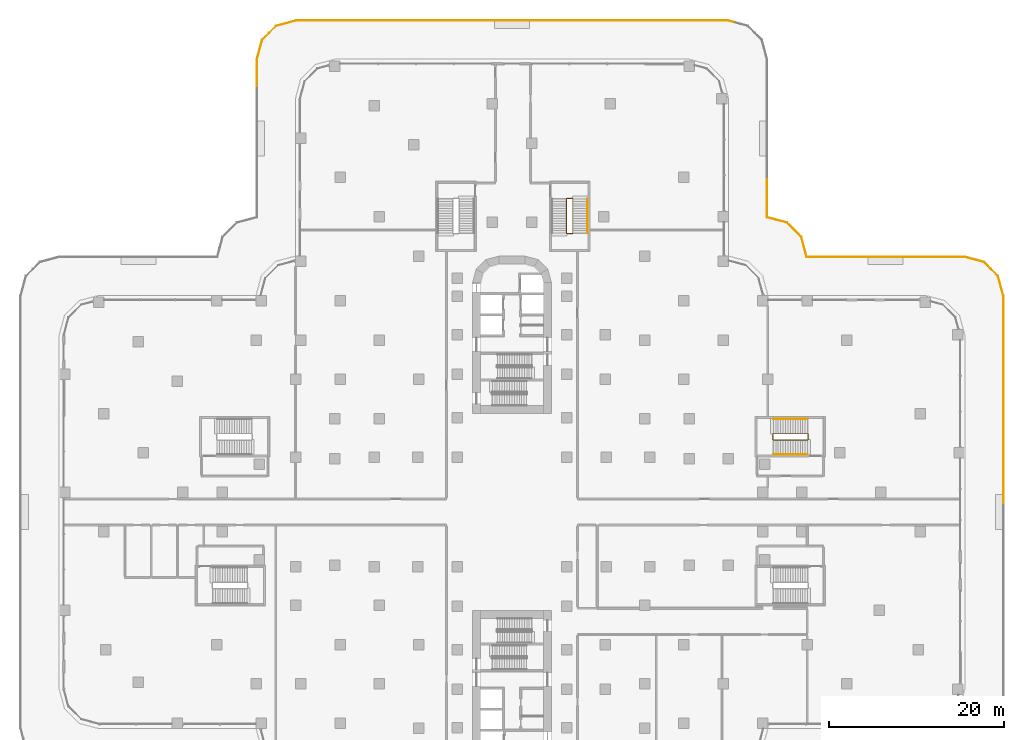
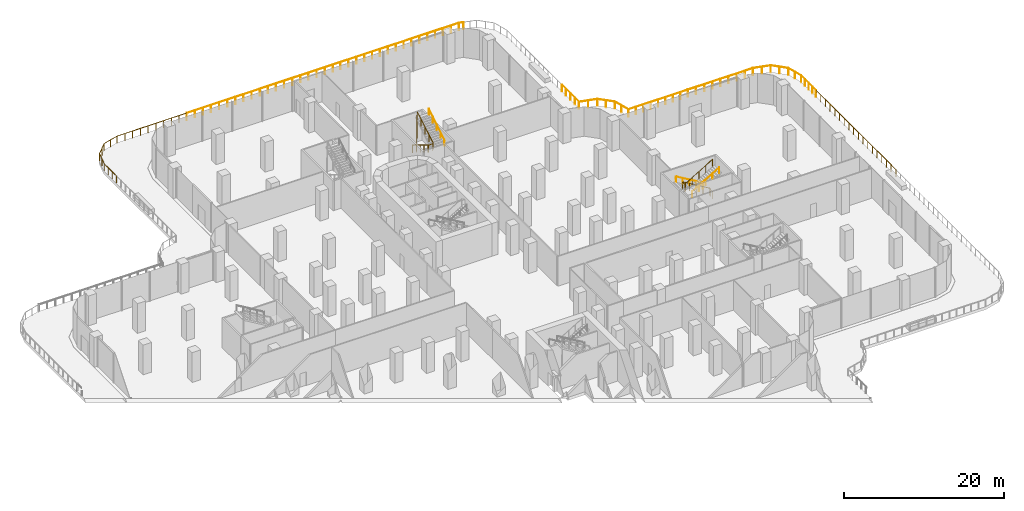
# One storey, part 28 of 30: 11 railings.
"""IFC4 building model written with IfcOpenShell, lengths in metres."""

from ifc_helpers import new_model, si_unit, direction, frame, origin, origin_2d, place, context, subcontext, project, spatial, circle, extrude, material, type_object, element, save


model = new_model("IFC4")

# Units and contexts
model_context = context("Model", 3, precision=1e-05, world=origin(), true_north=direction((0.0, 1.0)))
body_context = subcontext(model_context, "Body", "Model", "MODEL_VIEW")
ifc_project = project(units=[si_unit("LENGTHUNIT", "METRE"), si_unit("AREAUNIT", "SQUARE_METRE"), si_unit("VOLUMEUNIT", "CUBIC_METRE"), si_unit("PLANEANGLEUNIT", "RADIAN"), si_unit("MASSUNIT", "GRAM", prefix="KILO")], contexts=[model_context])

# Site, building, storey
site_placement = place(None, origin())
site = spatial("IfcSite", under=ifc_project, at=site_placement, CompositionType="ELEMENT")
building_placement = place(site_placement, origin())
building = spatial("IfcBuilding", under=site, at=building_placement, Name="Zarbagh Exchange Tower", CompositionType="ELEMENT")
storey_placement = place(building_placement, frame((0.0, 0.0, 7.0)))
storey = spatial("IfcBuildingStorey", under=building, at=storey_placement, Name="L01", CompositionType="ELEMENT", Elevation=7.0)

# Railings
ifc_material_1 = material(Name="Stainless steel", Category="steel")
railing_type_1 = type_object("IfcRailingType", Name="Stair guard 1100 mm", PredefinedType="GUARDRAIL", material=ifc_material_1)
railing_1_placement = place(storey_placement, frame((6.25, 35.800048828125, 0.166748046875)))
element("IfcRailing", 1, at=railing_1_placement, inside=storey, type_object=railing_type_1, Name="PS2 stair guard 1", PredefinedType="GUARDRAIL", context=body_context, shape_type="SweptSolid", body=[
    extrude(circle(Radius=0.02392578125, at=origin_2d()), frame((0.0, 0.0, 1.076171875), z_axis=(0.0, -0.859310244771, 0.511454693235), x_axis=(1.0, 0.0, 0.0)), (0.0, 0.0, 1.0), 4.56201171875),
    extrude(circle(Radius=0.02392578125, at=origin_2d()), frame((0.0, -3.920166015625, 3.4091796875), z_axis=(0.708833529934, -0.705375805398, 0.0), x_axis=(0.705375805398, 0.708833529934, 0.0)), (0.0, 0.0, 1.0), 0.070556640625),
    extrude(circle(Radius=0.02392578125, at=origin_2d()), frame((0.050048828125, -3.969970703125, 3.4091796875), z_axis=(1.0, 0.0, 0.0), x_axis=(0.0, 1.0, 0.0)), (0.0, 0.0, 1.0), 0.599853515625),
    extrude(circle(Radius=0.02392578125, at=origin_2d()), frame((0.64990234375, -3.969970703125, 3.4091796875), z_axis=(0.276389281352, 0.275041040955, 0.920848191041), x_axis=(-0.705375805398, 0.708833529934, 0.0)), (0.0, 0.0, 1.0), 0.18115234375),
    extrude(circle(Radius=0.02392578125, at=origin_2d()), frame((0.699951171875, -3.920166015625, 3.576171875), z_axis=(0.0, 0.859310244771, 0.511454693235), x_axis=(-1.0, 0.0, 0.0)), (0.0, 0.0, 1.0), 4.56201171875),
    extrude(circle(Radius=0.02392578125, at=origin_2d()), frame((0.699951171875, 0.0, 5.9091796875), z_axis=(-0.010008762843, 0.010008762843, -0.999899819648), x_axis=(-0.707106781187, -0.707106781187, 0.0)), (0.0, 0.0, 1.0), 5.00048828125),
    extrude(circle(Radius=0.02392578125, at=origin_2d()), frame((0.64990234375, 0.050048828125, 0.9091796875), z_axis=(-1.0, 0.0, 0.0), x_axis=(0.0, -1.0, 0.0)), (0.0, 0.0, 1.0), 0.599853515625),
    extrude(circle(Radius=0.02099609375, at=origin_2d()), origin(), (0.0, 0.0, 1.0), 1.052001953125),
    extrude(circle(Radius=0.02099609375, at=origin_2d()), frame((0.0, -0.97998046875, 0.583251953125)), (0.0, 0.0, 1.0), 1.052001953125),
    extrude(circle(Radius=0.02099609375, at=origin_2d()), frame((0.0, -1.9599609375, 1.16650390625)), (0.0, 0.0, 1.0), 1.052001953125),
    extrude(circle(Radius=0.02099609375, at=origin_2d()), frame((0.0, -2.940185546875, 1.75)), (0.0, 0.0, 1.0), 1.052001953125),
    extrude(circle(Radius=0.02099609375, at=origin_2d()), frame((0.0, -3.920166015625, 2.333251953125)), (0.0, 0.0, 1.0), 1.052001953125),
    extrude(circle(Radius=0.02099609375, at=origin_2d()), frame((0.050048828125, -3.969970703125, 2.333251953125)), (0.0, 0.0, 1.0), 1.052001953125),
    extrude(circle(Radius=0.02099609375, at=origin_2d()), frame((0.64990234375, -3.969970703125, 2.333251953125)), (0.0, 0.0, 1.0), 1.052001953125),
    extrude(circle(Radius=0.02099609375, at=origin_2d()), frame((0.699951171875, -3.920166015625, 2.5)), (0.0, 0.0, 1.0), 1.052001953125),
    extrude(circle(Radius=0.02099609375, at=origin_2d()), frame((0.699951171875, -2.940185546875, 3.083251953125)), (0.0, 0.0, 1.0), 1.052001953125),
    extrude(circle(Radius=0.02099609375, at=origin_2d()), frame((0.699951171875, -1.9599609375, 3.66650390625)), (0.0, 0.0, 1.0), 1.052001953125),
    extrude(circle(Radius=0.02099609375, at=origin_2d()), frame((0.699951171875, -0.97998046875, 4.25)), (0.0, 0.0, 1.0), 1.052001953125),
    extrude(circle(Radius=0.02099609375, at=origin_2d()), frame((0.699951171875, 0.0, 4.833251953125)), (0.0, 0.0, 1.0), 1.052001953125),
    extrude(circle(Radius=0.02099609375, at=origin_2d()), frame((0.68994140625, 0.010009765625, 3.833251953125)), (0.0, 0.0, 1.0), 1.052001953125),
    extrude(circle(Radius=0.02099609375, at=origin_2d()), frame((0.679931640625, 0.02001953125, 2.833251953125)), (0.0, 0.0, 1.0), 1.052001953125),
    extrude(circle(Radius=0.02099609375, at=origin_2d()), frame((0.669921875, 0.030029296875, 1.833251953125)), (0.0, 0.0, 1.0), 1.052001953125),
    extrude(circle(Radius=0.02099609375, at=origin_2d()), frame((0.659912109375, 0.0400390625, 0.833251953125)), (0.0, 0.0, 1.0), 1.052001953125),
    extrude(circle(Radius=0.02099609375, at=origin_2d()), frame((0.64990234375, 0.050048828125, -0.166748046875)), (0.0, 0.0, 1.0), 1.052001953125),
    extrude(circle(Radius=0.02099609375, at=origin_2d()), frame((0.050048828125, 0.050048828125, -0.166748046875)), (0.0, 0.0, 1.0), 1.052001953125),
])
railing_2_placement = place(storey_placement, frame((33.85009765625, 8.300048828125, 0.0)))
element("IfcRailing", 2, at=railing_2_placement, inside=storey, type_object=railing_type_1, Name="PS3 stair guard 1", PredefinedType="GUARDRAIL", context=body_context, shape_type="SweptSolid", body=[
    extrude(circle(Radius=0.02392578125, at=origin_2d()), frame((0.0, 0.0, 1.076171875), z_axis=(0.0, 1.0, 0.0), x_axis=(-1.0, 0.0, 0.0)), (0.0, 0.0, 1.0), 0.599853515625),
    extrude(circle(Radius=0.02392578125, at=origin_2d()), frame((0.0, 0.599853515625, 1.076171875), z_axis=(-0.27628659633, 0.27628659633, 0.920506074601), x_axis=(-0.707106781187, -0.707106781187, 0.0)), (0.0, 0.0, 1.0), 0.18115234375),
    extrude(circle(Radius=0.02392578125, at=origin_2d()), frame((-0.050048828125, 0.64990234375, 1.24267578125), z_axis=(-0.859310244771, 0.0, 0.511454693235), x_axis=(0.0, -1.0, 0.0)), (0.0, 0.0, 1.0), 4.56201171875),
    extrude(circle(Radius=0.02392578125, at=origin_2d()), frame((-3.97021484375, 0.64990234375, 3.576171875), z_axis=(-0.705375805398, -0.708833529934, 0.0), x_axis=(0.708833529934, -0.705375805398, 0.0)), (0.0, 0.0, 1.0), 0.070556640625),
    extrude(circle(Radius=0.02392578125, at=origin_2d()), frame((-4.02001953125, 0.599853515625, 3.576171875), z_axis=(0.0, -1.0, 0.0), x_axis=(1.0, 0.0, 0.0)), (0.0, 0.0, 1.0), 0.599853515625),
    extrude(circle(Radius=0.02392578125, at=origin_2d()), frame((-4.02001953125, 0.0, 3.576171875), z_axis=(0.275041040955, -0.276389281352, 0.920848191041), x_axis=(0.708833529934, 0.705375805398, 0.0)), (0.0, 0.0, 1.0), 0.18115234375),
    extrude(circle(Radius=0.02392578125, at=origin_2d()), frame((-3.97021484375, -0.050048828125, 3.74267578125), z_axis=(0.859310244771, 0.0, 0.511454693235), x_axis=(0.0, 1.0, 0.0)), (0.0, 0.0, 1.0), 4.56201171875),
    extrude(circle(Radius=0.02099609375, at=origin_2d()), origin(), (0.0, 0.0, 1.0), 1.052001953125),
    extrude(circle(Radius=0.02099609375, at=origin_2d()), frame((0.0, 0.599853515625, 0.0)), (0.0, 0.0, 1.0), 1.052001953125),
    extrude(circle(Radius=0.02099609375, at=origin_2d()), frame((-0.050048828125, 0.64990234375, 0.166748046875)), (0.0, 0.0, 1.0), 1.052001953125),
    extrude(circle(Radius=0.02099609375, at=origin_2d()), frame((-1.030029296875, 0.64990234375, 0.75)), (0.0, 0.0, 1.0), 1.052001953125),
    extrude(circle(Radius=0.02099609375, at=origin_2d()), frame((-2.01025390625, 0.64990234375, 1.33349609375)), (0.0, 0.0, 1.0), 1.052001953125),
    extrude(circle(Radius=0.02099609375, at=origin_2d()), frame((-2.990234375, 0.64990234375, 1.916748046875)), (0.0, 0.0, 1.0), 1.052001953125),
    extrude(circle(Radius=0.02099609375, at=origin_2d()), frame((-3.97021484375, 0.64990234375, 2.5)), (0.0, 0.0, 1.0), 1.052001953125),
    extrude(circle(Radius=0.02099609375, at=origin_2d()), frame((-4.02001953125, 0.599853515625, 2.5)), (0.0, 0.0, 1.0), 1.052001953125),
    extrude(circle(Radius=0.02099609375, at=origin_2d()), frame((-4.02001953125, 0.0, 2.5)), (0.0, 0.0, 1.0), 1.052001953125),
    extrude(circle(Radius=0.02099609375, at=origin_2d()), frame((-3.97021484375, -0.050048828125, 2.666748046875)), (0.0, 0.0, 1.0), 1.052001953125),
    extrude(circle(Radius=0.02099609375, at=origin_2d()), frame((-2.990234375, -0.050048828125, 3.25)), (0.0, 0.0, 1.0), 1.052001953125),
    extrude(circle(Radius=0.02099609375, at=origin_2d()), frame((-2.01025390625, -0.050048828125, 3.83349609375)), (0.0, 0.0, 1.0), 1.052001953125),
    extrude(circle(Radius=0.02099609375, at=origin_2d()), frame((-1.030029296875, -0.050048828125, 4.416748046875)), (0.0, 0.0, 1.0), 1.052001953125),
    extrude(circle(Radius=0.02099609375, at=origin_2d()), frame((-0.050048828125, -0.050048828125, 5.0)), (0.0, 0.0, 1.0), 1.052001953125),
])
railing_type_2 = type_object("IfcRailingType", Name="Stair handrail 900 mm", PredefinedType="HANDRAIL", material=ifc_material_1)
railing_3_placement = place(storey_placement, frame((8.64990234375, 31.8798828125, 2.666748046875)))
element("IfcRailing", 3, at=railing_3_placement, inside=storey, type_object=railing_type_2, Name="PS2 stair handrail 2", PredefinedType="HANDRAIL", context=body_context, shape_type="SweptSolid", body=[
    extrude(circle(Radius=0.02392578125, at=origin_2d()), frame((0.0, 0.0, 0.8759765625), z_axis=(0.0, 0.859310244771, 0.511454693235), x_axis=(-1.0, 0.0, 0.0)), (0.0, 0.0, 1.0), 4.56201171875),
    extrude(circle(Radius=0.02099609375, at=origin_2d()), origin(), (0.0, 0.0, 1.0), 0.851806640625),
    extrude(circle(Radius=0.02099609375, at=origin_2d()), frame((0.0, 0.97998046875, 0.583251953125)), (0.0, 0.0, 1.0), 0.851806640625),
    extrude(circle(Radius=0.02099609375, at=origin_2d()), frame((0.0, 1.9599609375, 1.16650390625)), (0.0, 0.0, 1.0), 0.851806640625),
    extrude(circle(Radius=0.02099609375, at=origin_2d()), frame((0.0, 2.940185546875, 1.75)), (0.0, 0.0, 1.0), 0.851806640625),
    extrude(circle(Radius=0.02099609375, at=origin_2d()), frame((0.0, 3.920166015625, 2.333251953125)), (0.0, 0.0, 1.0), 0.851806640625),
])
railing_4_placement = place(storey_placement, frame((33.800048828125, 10.64990234375, 0.166748046875)))
element("IfcRailing", 4, at=railing_4_placement, inside=storey, type_object=railing_type_2, Name="PS3 stair handrail 1", PredefinedType="HANDRAIL", context=body_context, shape_type="SweptSolid", body=[
    extrude(circle(Radius=0.02392578125, at=origin_2d()), frame((0.0, 0.0, 0.8759765625), z_axis=(-0.859310244771, 0.0, 0.511454693235), x_axis=(0.0, -1.0, 0.0)), (0.0, 0.0, 1.0), 4.56201171875),
    extrude(circle(Radius=0.02099609375, at=origin_2d()), origin(), (0.0, 0.0, 1.0), 0.851806640625),
    extrude(circle(Radius=0.02099609375, at=origin_2d()), frame((-0.97998046875, 0.0, 0.583251953125)), (0.0, 0.0, 1.0), 0.851806640625),
    extrude(circle(Radius=0.02099609375, at=origin_2d()), frame((-1.9599609375, 0.0, 1.16650390625)), (0.0, 0.0, 1.0), 0.851806640625),
    extrude(circle(Radius=0.02099609375, at=origin_2d()), frame((-2.940185546875, 0.0, 1.75)), (0.0, 0.0, 1.0), 0.851806640625),
    extrude(circle(Radius=0.02099609375, at=origin_2d()), frame((-3.920166015625, 0.0, 2.333251953125)), (0.0, 0.0, 1.0), 0.851806640625),
])
railing_5_placement = place(storey_placement, frame((29.8798828125, 6.550048828125, 2.666748046875)))
element("IfcRailing", 5, at=railing_5_placement, inside=storey, type_object=railing_type_2, Name="PS3 stair handrail 2", PredefinedType="HANDRAIL", context=body_context, shape_type="SweptSolid", body=[
    extrude(circle(Radius=0.02392578125, at=origin_2d()), frame((0.0, 0.0, 0.8759765625), z_axis=(0.859310244771, 0.0, 0.511454693235), x_axis=(0.0, 1.0, 0.0)), (0.0, 0.0, 1.0), 4.56201171875),
    extrude(circle(Radius=0.02099609375, at=origin_2d()), origin(), (0.0, 0.0, 1.0), 0.851806640625),
    extrude(circle(Radius=0.02099609375, at=origin_2d()), frame((0.97998046875, 0.0, 0.583251953125)), (0.0, 0.0, 1.0), 0.851806640625),
    extrude(circle(Radius=0.02099609375, at=origin_2d()), frame((1.9599609375, 0.0, 1.16650390625)), (0.0, 0.0, 1.0), 0.851806640625),
    extrude(circle(Radius=0.02099609375, at=origin_2d()), frame((2.940185546875, 0.0, 1.75)), (0.0, 0.0, 1.0), 0.851806640625),
    extrude(circle(Radius=0.02099609375, at=origin_2d()), frame((3.920166015625, 0.0, 2.333251953125)), (0.0, 0.0, 1.0), 0.851806640625),
])
ifc_material_2 = material(Name="Stainless steel and laminated glass", Category="steel")
railing_type_3 = type_object("IfcRailingType", Name="Terrace guard, glass balustrade 1.1 m", PredefinedType="GUARDRAIL", material=ifc_material_2)
railing_6_placement = place(storey_placement, frame((-29.169921875, 48.703369140625, 0.0)))
element("IfcRailing", 6, at=railing_6_placement, inside=storey, type_object=railing_type_3, Name="TG01 terrace guard", PredefinedType="GUARDRAIL", context=body_context, shape_type="SweptSolid", body=[
    extrude(circle(Radius=0.02490234375, at=origin_2d()), frame((0.0, 0.0, 1.0751953125), z_axis=(0.0, 1.0, 0.0), x_axis=(-1.0, 0.0, 0.0)), (0.0, 0.0, 1.0), 3.0361328125),
    extrude(circle(Radius=0.02490234375, at=origin_2d()), frame((0.0, 3.0361328125, 1.0751953125), z_axis=(0.258780353152, 0.965936192935, 0.0), x_axis=(-0.965936192935, 0.258780353152, 0.0)), (0.0, 0.0, 1.0), 2.29736328125),
    extrude(circle(Radius=0.02490234375, at=origin_2d()), frame((0.594482421875, 5.255126953125, 1.0751953125), z_axis=(0.707106781187, 0.707106781187, 0.0), x_axis=(-0.707106781187, 0.707106781187, 0.0)), (0.0, 0.0, 1.0), 2.28662109375),
    extrude(circle(Radius=0.02490234375, at=origin_2d()), frame((2.21142578125, 6.8720703125, 1.0751953125), z_axis=(0.965936192935, 0.258780353152, 0.0), x_axis=(-0.258780353152, 0.965936192935, 0.0)), (0.0, 0.0, 1.0), 2.29736328125),
    extrude(circle(Radius=0.02490234375, at=origin_2d()), frame((4.430419921875, 7.466552734375, 1.0751953125), z_axis=(1.0, 0.0, 0.0), x_axis=(0.0, 1.0, 0.0)), (0.0, 0.0, 1.0), 10.082763671875),
    extrude(circle(Radius=0.02490234375, at=origin_2d()), origin(), (0.0, 0.0, 1.0), 1.050048828125),
    extrude(circle(Radius=0.02490234375, at=origin_2d()), frame((0.0, 1.011962890625, 0.0)), (0.0, 0.0, 1.0), 1.050048828125),
    extrude(circle(Radius=0.02490234375, at=origin_2d()), frame((0.0, 2.024169921875, 0.0)), (0.0, 0.0, 1.0), 1.050048828125),
    extrude(circle(Radius=0.02490234375, at=origin_2d()), frame((0.0, 3.0361328125, 0.0)), (0.0, 0.0, 1.0), 1.050048828125),
    extrude(circle(Radius=0.02490234375, at=origin_2d()), frame((0.29736328125, 4.1455078125, 0.0)), (0.0, 0.0, 1.0), 1.050048828125),
    extrude(circle(Radius=0.02490234375, at=origin_2d()), frame((0.594482421875, 5.255126953125, 0.0)), (0.0, 0.0, 1.0), 1.050048828125),
    extrude(circle(Radius=0.02490234375, at=origin_2d()), frame((1.40283203125, 6.0634765625, 0.0)), (0.0, 0.0, 1.0), 1.050048828125),
    extrude(circle(Radius=0.02490234375, at=origin_2d()), frame((2.21142578125, 6.8720703125, 0.0)), (0.0, 0.0, 1.0), 1.050048828125),
    extrude(circle(Radius=0.02490234375, at=origin_2d()), frame((3.32080078125, 7.16943359375, 0.0)), (0.0, 0.0, 1.0), 1.050048828125),
    extrude(circle(Radius=0.02490234375, at=origin_2d()), frame((4.430419921875, 7.466552734375, 0.0)), (0.0, 0.0, 1.0), 1.050048828125),
    extrude(circle(Radius=0.02490234375, at=origin_2d()), frame((5.55078125, 7.466552734375, 0.0)), (0.0, 0.0, 1.0), 1.050048828125),
    extrude(circle(Radius=0.02490234375, at=origin_2d()), frame((6.671142578125, 7.466552734375, 0.0)), (0.0, 0.0, 1.0), 1.050048828125),
    extrude(circle(Radius=0.02490234375, at=origin_2d()), frame((7.791259765625, 7.466552734375, 0.0)), (0.0, 0.0, 1.0), 1.050048828125),
    extrude(circle(Radius=0.02490234375, at=origin_2d()), frame((8.91162109375, 7.466552734375, 0.0)), (0.0, 0.0, 1.0), 1.050048828125),
    extrude(circle(Radius=0.02490234375, at=origin_2d()), frame((10.031982421875, 7.466552734375, 0.0)), (0.0, 0.0, 1.0), 1.050048828125),
    extrude(circle(Radius=0.02490234375, at=origin_2d()), frame((11.15234375, 7.466552734375, 0.0)), (0.0, 0.0, 1.0), 1.050048828125),
    extrude(circle(Radius=0.02490234375, at=origin_2d()), frame((12.2724609375, 7.466552734375, 0.0)), (0.0, 0.0, 1.0), 1.050048828125),
    extrude(circle(Radius=0.02490234375, at=origin_2d()), frame((13.392822265625, 7.466552734375, 0.0)), (0.0, 0.0, 1.0), 1.050048828125),
    extrude(circle(Radius=0.02490234375, at=origin_2d()), frame((14.51318359375, 7.466552734375, 0.0)), (0.0, 0.0, 1.0), 1.050048828125),
])
railing_7_placement = place(storey_placement, frame((-14.65673828125, 56.169921875, 0.0)))
element("IfcRailing", 7, at=railing_7_placement, inside=storey, type_object=railing_type_3, Name="TG01 terrace guard", PredefinedType="GUARDRAIL", context=body_context, shape_type="SweptSolid", body=[
    extrude(circle(Radius=0.02490234375, at=origin_2d()), frame((0.0, 0.0, 1.0751953125), z_axis=(1.0, 0.0, 0.0), x_axis=(0.0, 1.0, 0.0)), (0.0, 0.0, 1.0), 20.0),
    extrude(circle(Radius=0.02490234375, at=origin_2d()), origin(), (0.0, 0.0, 1.0), 1.050048828125),
    extrude(circle(Radius=0.02490234375, at=origin_2d()), frame((1.176513671875, 0.0, 0.0)), (0.0, 0.0, 1.0), 1.050048828125),
    extrude(circle(Radius=0.02490234375, at=origin_2d()), frame((2.35302734375, 0.0, 0.0)), (0.0, 0.0, 1.0), 1.050048828125),
    extrude(circle(Radius=0.02490234375, at=origin_2d()), frame((3.529296875, 0.0, 0.0)), (0.0, 0.0, 1.0), 1.050048828125),
    extrude(circle(Radius=0.02490234375, at=origin_2d()), frame((4.705810546875, 0.0, 0.0)), (0.0, 0.0, 1.0), 1.050048828125),
    extrude(circle(Radius=0.02490234375, at=origin_2d()), frame((5.88232421875, 0.0, 0.0)), (0.0, 0.0, 1.0), 1.050048828125),
    extrude(circle(Radius=0.02490234375, at=origin_2d()), frame((7.058837890625, 0.0, 0.0)), (0.0, 0.0, 1.0), 1.050048828125),
    extrude(circle(Radius=0.02490234375, at=origin_2d()), frame((8.2353515625, 0.0, 0.0)), (0.0, 0.0, 1.0), 1.050048828125),
    extrude(circle(Radius=0.02490234375, at=origin_2d()), frame((9.411865234375, 0.0, 0.0)), (0.0, 0.0, 1.0), 1.050048828125),
    extrude(circle(Radius=0.02490234375, at=origin_2d()), frame((10.588134765625, 0.0, 0.0)), (0.0, 0.0, 1.0), 1.050048828125),
    extrude(circle(Radius=0.02490234375, at=origin_2d()), frame((11.7646484375, 0.0, 0.0)), (0.0, 0.0, 1.0), 1.050048828125),
    extrude(circle(Radius=0.02490234375, at=origin_2d()), frame((12.941162109375, 0.0, 0.0)), (0.0, 0.0, 1.0), 1.050048828125),
    extrude(circle(Radius=0.02490234375, at=origin_2d()), frame((14.11767578125, 0.0, 0.0)), (0.0, 0.0, 1.0), 1.050048828125),
    extrude(circle(Radius=0.02490234375, at=origin_2d()), frame((15.294189453125, 0.0, 0.0)), (0.0, 0.0, 1.0), 1.050048828125),
    extrude(circle(Radius=0.02490234375, at=origin_2d()), frame((16.470703125, 0.0, 0.0)), (0.0, 0.0, 1.0), 1.050048828125),
    extrude(circle(Radius=0.02490234375, at=origin_2d()), frame((17.64697265625, 0.0, 0.0)), (0.0, 0.0, 1.0), 1.050048828125),
    extrude(circle(Radius=0.02490234375, at=origin_2d()), frame((18.823486328125, 0.0, 0.0)), (0.0, 0.0, 1.0), 1.050048828125),
    extrude(circle(Radius=0.02490234375, at=origin_2d()), frame((20.0, 0.0, 0.0)), (0.0, 0.0, 1.0), 1.050048828125),
])
railing_8_placement = place(storey_placement, frame((5.34326171875, 56.169921875, 0.0)))
element("IfcRailing", 8, at=railing_8_placement, inside=storey, type_object=railing_type_3, Name="TG01 terrace guard", PredefinedType="GUARDRAIL", context=body_context, shape_type="SweptSolid", body=[
    extrude(circle(Radius=0.02490234375, at=origin_2d()), frame((0.0, 0.0, 1.0751953125), z_axis=(1.0, 0.0, 0.0), x_axis=(0.0, 1.0, 0.0)), (0.0, 0.0, 1.0), 19.396240234375),
    extrude(circle(Radius=0.02490234375, at=origin_2d()), frame((19.396240234375, 0.0, 1.0751953125), z_axis=(0.965911938046, -0.258870871168, 0.0), x_axis=(0.258870871168, 0.965911938046, 0.0)), (0.0, 0.0, 1.0), 0.603515625),
    extrude(circle(Radius=0.02490234375, at=origin_2d()), origin(), (0.0, 0.0, 1.0), 1.050048828125),
    extrude(circle(Radius=0.02490234375, at=origin_2d()), frame((1.140869140625, 0.0, 0.0)), (0.0, 0.0, 1.0), 1.050048828125),
    extrude(circle(Radius=0.02490234375, at=origin_2d()), frame((2.281982421875, 0.0, 0.0)), (0.0, 0.0, 1.0), 1.050048828125),
    extrude(circle(Radius=0.02490234375, at=origin_2d()), frame((3.4228515625, 0.0, 0.0)), (0.0, 0.0, 1.0), 1.050048828125),
    extrude(circle(Radius=0.02490234375, at=origin_2d()), frame((4.563720703125, 0.0, 0.0)), (0.0, 0.0, 1.0), 1.050048828125),
    extrude(circle(Radius=0.02490234375, at=origin_2d()), frame((5.704833984375, 0.0, 0.0)), (0.0, 0.0, 1.0), 1.050048828125),
    extrude(circle(Radius=0.02490234375, at=origin_2d()), frame((6.845703125, 0.0, 0.0)), (0.0, 0.0, 1.0), 1.050048828125),
    extrude(circle(Radius=0.02490234375, at=origin_2d()), frame((7.986572265625, 0.0, 0.0)), (0.0, 0.0, 1.0), 1.050048828125),
    extrude(circle(Radius=0.02490234375, at=origin_2d()), frame((9.127685546875, 0.0, 0.0)), (0.0, 0.0, 1.0), 1.050048828125),
    extrude(circle(Radius=0.02490234375, at=origin_2d()), frame((10.2685546875, 0.0, 0.0)), (0.0, 0.0, 1.0), 1.050048828125),
    extrude(circle(Radius=0.02490234375, at=origin_2d()), frame((11.40966796875, 0.0, 0.0)), (0.0, 0.0, 1.0), 1.050048828125),
    extrude(circle(Radius=0.02490234375, at=origin_2d()), frame((12.550537109375, 0.0, 0.0)), (0.0, 0.0, 1.0), 1.050048828125),
    extrude(circle(Radius=0.02490234375, at=origin_2d()), frame((13.69140625, 0.0, 0.0)), (0.0, 0.0, 1.0), 1.050048828125),
    extrude(circle(Radius=0.02490234375, at=origin_2d()), frame((14.83251953125, 0.0, 0.0)), (0.0, 0.0, 1.0), 1.050048828125),
    extrude(circle(Radius=0.02490234375, at=origin_2d()), frame((15.973388671875, 0.0, 0.0)), (0.0, 0.0, 1.0), 1.050048828125),
    extrude(circle(Radius=0.02490234375, at=origin_2d()), frame((17.1142578125, 0.0, 0.0)), (0.0, 0.0, 1.0), 1.050048828125),
    extrude(circle(Radius=0.02490234375, at=origin_2d()), frame((18.25537109375, 0.0, 0.0)), (0.0, 0.0, 1.0), 1.050048828125),
    extrude(circle(Radius=0.02490234375, at=origin_2d()), frame((19.396240234375, 0.0, 0.0)), (0.0, 0.0, 1.0), 1.050048828125),
    extrude(circle(Radius=0.02490234375, at=origin_2d()), frame((19.979248046875, -0.15625, 0.0)), (0.0, 0.0, 1.0), 1.050048828125),
])
railing_9_placement = place(storey_placement, frame((29.169921875, 38.01708984375, 0.0)))
element("IfcRailing", 9, at=railing_9_placement, inside=storey, type_object=railing_type_3, Name="TG01 terrace guard", PredefinedType="GUARDRAIL", context=body_context, shape_type="SweptSolid", body=[
    extrude(circle(Radius=0.02490234375, at=origin_2d()), frame((0.0, 0.0, 1.0751953125), z_axis=(0.0, -1.0, 0.0), x_axis=(1.0, 0.0, 0.0)), (0.0, 0.0, 1.0), 4.328369140625),
    extrude(circle(Radius=0.02490234375, at=origin_2d()), frame((0.0, -4.328369140625, 1.0751953125), z_axis=(0.965919533457, -0.258842529128, 0.0), x_axis=(0.258842529128, 0.965919533457, 0.0)), (0.0, 0.0, 1.0), 2.369384765625),
    extrude(circle(Radius=0.02490234375, at=origin_2d()), frame((2.28857421875, -4.941650390625, 1.0751953125), z_axis=(0.707106781187, -0.707106781187, 0.0), x_axis=(0.707106781187, 0.707106781187, 0.0)), (0.0, 0.0, 1.0), 2.28662109375),
    extrude(circle(Radius=0.02490234375, at=origin_2d()), frame((3.905517578125, -6.55859375, 1.0751953125), z_axis=(0.258842529128, -0.965919533457, 0.0), x_axis=(0.965919533457, 0.258842529128, 0.0)), (0.0, 0.0, 1.0), 2.369384765625),
    extrude(circle(Radius=0.02490234375, at=origin_2d()), frame((4.518798828125, -8.84716796875, 1.0751953125), z_axis=(1.0, 0.0, 0.0), x_axis=(0.0, 1.0, 0.0)), (0.0, 0.0, 1.0), 8.646240234375),
    extrude(circle(Radius=0.02490234375, at=origin_2d()), origin(), (0.0, 0.0, 1.0), 1.050048828125),
    extrude(circle(Radius=0.02490234375, at=origin_2d()), frame((0.0, -1.08203125, 0.0)), (0.0, 0.0, 1.0), 1.050048828125),
    extrude(circle(Radius=0.02490234375, at=origin_2d()), frame((0.0, -2.1640625, 0.0)), (0.0, 0.0, 1.0), 1.050048828125),
    extrude(circle(Radius=0.02490234375, at=origin_2d()), frame((0.0, -3.246337890625, 0.0)), (0.0, 0.0, 1.0), 1.050048828125),
    extrude(circle(Radius=0.02490234375, at=origin_2d()), frame((0.0, -4.328369140625, 0.0)), (0.0, 0.0, 1.0), 1.050048828125),
    extrude(circle(Radius=0.02490234375, at=origin_2d()), frame((1.144287109375, -4.635009765625, 0.0)), (0.0, 0.0, 1.0), 1.050048828125),
    extrude(circle(Radius=0.02490234375, at=origin_2d()), frame((2.28857421875, -4.941650390625, 0.0)), (0.0, 0.0, 1.0), 1.050048828125),
    extrude(circle(Radius=0.02490234375, at=origin_2d()), frame((3.09716796875, -5.75, 0.0)), (0.0, 0.0, 1.0), 1.050048828125),
    extrude(circle(Radius=0.02490234375, at=origin_2d()), frame((3.905517578125, -6.55859375, 0.0)), (0.0, 0.0, 1.0), 1.050048828125),
    extrude(circle(Radius=0.02490234375, at=origin_2d()), frame((4.212158203125, -7.702880859375, 0.0)), (0.0, 0.0, 1.0), 1.050048828125),
    extrude(circle(Radius=0.02490234375, at=origin_2d()), frame((4.518798828125, -8.84716796875, 0.0)), (0.0, 0.0, 1.0), 1.050048828125),
    extrude(circle(Radius=0.02490234375, at=origin_2d()), frame((5.599609375, -8.84716796875, 0.0)), (0.0, 0.0, 1.0), 1.050048828125),
    extrude(circle(Radius=0.02490234375, at=origin_2d()), frame((6.680419921875, -8.84716796875, 0.0)), (0.0, 0.0, 1.0), 1.050048828125),
    extrude(circle(Radius=0.02490234375, at=origin_2d()), frame((7.76123046875, -8.84716796875, 0.0)), (0.0, 0.0, 1.0), 1.050048828125),
    extrude(circle(Radius=0.02490234375, at=origin_2d()), frame((8.841796875, -8.84716796875, 0.0)), (0.0, 0.0, 1.0), 1.050048828125),
    extrude(circle(Radius=0.02490234375, at=origin_2d()), frame((9.922607421875, -8.84716796875, 0.0)), (0.0, 0.0, 1.0), 1.050048828125),
    extrude(circle(Radius=0.02490234375, at=origin_2d()), frame((11.00341796875, -8.84716796875, 0.0)), (0.0, 0.0, 1.0), 1.050048828125),
    extrude(circle(Radius=0.02490234375, at=origin_2d()), frame((12.084228515625, -8.84716796875, 0.0)), (0.0, 0.0, 1.0), 1.050048828125),
    extrude(circle(Radius=0.02490234375, at=origin_2d()), frame((13.1650390625, -8.84716796875, 0.0)), (0.0, 0.0, 1.0), 1.050048828125),
])
railing_10_placement = place(storey_placement, frame((42.3349609375, 29.169921875, 0.0)))
element("IfcRailing", 10, at=railing_10_placement, inside=storey, type_object=railing_type_3, Name="TG01 terrace guard", PredefinedType="GUARDRAIL", context=body_context, shape_type="SweptSolid", body=[
    extrude(circle(Radius=0.02490234375, at=origin_2d()), frame((0.0, 0.0, 1.0751953125), z_axis=(1.0, 0.0, 0.0), x_axis=(0.0, 1.0, 0.0)), (0.0, 0.0, 1.0), 9.404541015625),
    extrude(circle(Radius=0.02490234375, at=origin_2d()), frame((9.404541015625, 0.0, 1.0751953125), z_axis=(0.965936192935, -0.258780353152, 0.0), x_axis=(0.258780353152, 0.965936192935, 0.0)), (0.0, 0.0, 1.0), 2.29736328125),
    extrude(circle(Radius=0.02490234375, at=origin_2d()), frame((11.62353515625, -0.594482421875, 1.0751953125), z_axis=(0.707106781187, -0.707106781187, 0.0), x_axis=(0.707106781187, 0.707106781187, 0.0)), (0.0, 0.0, 1.0), 2.28662109375),
    extrude(circle(Radius=0.02490234375, at=origin_2d()), frame((13.240478515625, -2.21142578125, 1.0751953125), z_axis=(0.258780353152, -0.965936192935, 0.0), x_axis=(0.965936192935, 0.258780353152, 0.0)), (0.0, 0.0, 1.0), 2.29736328125),
    extrude(circle(Radius=0.02490234375, at=origin_2d()), frame((13.8349609375, -4.430419921875, 1.0751953125), z_axis=(0.0, -1.0, 0.0), x_axis=(1.0, 0.0, 0.0)), (0.0, 0.0, 1.0), 3.71435546875),
    extrude(circle(Radius=0.02490234375, at=origin_2d()), origin(), (0.0, 0.0, 1.0), 1.050048828125),
    extrude(circle(Radius=0.02490234375, at=origin_2d()), frame((1.175537109375, 0.0, 0.0)), (0.0, 0.0, 1.0), 1.050048828125),
    extrude(circle(Radius=0.02490234375, at=origin_2d()), frame((2.35107421875, 0.0, 0.0)), (0.0, 0.0, 1.0), 1.050048828125),
    extrude(circle(Radius=0.02490234375, at=origin_2d()), frame((3.526611328125, 0.0, 0.0)), (0.0, 0.0, 1.0), 1.050048828125),
    extrude(circle(Radius=0.02490234375, at=origin_2d()), frame((4.7021484375, 0.0, 0.0)), (0.0, 0.0, 1.0), 1.050048828125),
    extrude(circle(Radius=0.02490234375, at=origin_2d()), frame((5.8779296875, 0.0, 0.0)), (0.0, 0.0, 1.0), 1.050048828125),
    extrude(circle(Radius=0.02490234375, at=origin_2d()), frame((7.053466796875, 0.0, 0.0)), (0.0, 0.0, 1.0), 1.050048828125),
    extrude(circle(Radius=0.02490234375, at=origin_2d()), frame((8.22900390625, 0.0, 0.0)), (0.0, 0.0, 1.0), 1.050048828125),
    extrude(circle(Radius=0.02490234375, at=origin_2d()), frame((9.404541015625, 0.0, 0.0)), (0.0, 0.0, 1.0), 1.050048828125),
    extrude(circle(Radius=0.02490234375, at=origin_2d()), frame((10.51416015625, -0.29736328125, 0.0)), (0.0, 0.0, 1.0), 1.050048828125),
    extrude(circle(Radius=0.02490234375, at=origin_2d()), frame((11.62353515625, -0.594482421875, 0.0)), (0.0, 0.0, 1.0), 1.050048828125),
    extrude(circle(Radius=0.02490234375, at=origin_2d()), frame((12.43212890625, -1.40283203125, 0.0)), (0.0, 0.0, 1.0), 1.050048828125),
    extrude(circle(Radius=0.02490234375, at=origin_2d()), frame((13.240478515625, -2.21142578125, 0.0)), (0.0, 0.0, 1.0), 1.050048828125),
    extrude(circle(Radius=0.02490234375, at=origin_2d()), frame((13.53759765625, -3.32080078125, 0.0)), (0.0, 0.0, 1.0), 1.050048828125),
    extrude(circle(Radius=0.02490234375, at=origin_2d()), frame((13.8349609375, -4.430419921875, 0.0)), (0.0, 0.0, 1.0), 1.050048828125),
    extrude(circle(Radius=0.02490234375, at=origin_2d()), frame((13.8349609375, -5.35888671875, 0.0)), (0.0, 0.0, 1.0), 1.050048828125),
    extrude(circle(Radius=0.02490234375, at=origin_2d()), frame((13.8349609375, -6.28759765625, 0.0)), (0.0, 0.0, 1.0), 1.050048828125),
    extrude(circle(Radius=0.02490234375, at=origin_2d()), frame((13.8349609375, -7.21630859375, 0.0)), (0.0, 0.0, 1.0), 1.050048828125),
    extrude(circle(Radius=0.02490234375, at=origin_2d()), frame((13.8349609375, -8.144775390625, 0.0)), (0.0, 0.0, 1.0), 1.050048828125),
])
railing_11_placement = place(storey_placement, frame((56.169921875, 21.025146484375, 0.0)))
element("IfcRailing", 11, at=railing_11_placement, inside=storey, type_object=railing_type_3, Name="TG01 terrace guard", PredefinedType="GUARDRAIL", context=body_context, shape_type="SweptSolid", body=[
    extrude(circle(Radius=0.02490234375, at=origin_2d()), frame((0.0, 0.0, 1.0751953125), z_axis=(0.0, -1.0, 0.0), x_axis=(1.0, 0.0, 0.0)), (0.0, 0.0, 1.0), 20.0),
    extrude(circle(Radius=0.02490234375, at=origin_2d()), origin(), (0.0, 0.0, 1.0), 1.050048828125),
    extrude(circle(Radius=0.02490234375, at=origin_2d()), frame((0.0, -1.176513671875, 0.0)), (0.0, 0.0, 1.0), 1.050048828125),
    extrude(circle(Radius=0.02490234375, at=origin_2d()), frame((0.0, -2.35302734375, 0.0)), (0.0, 0.0, 1.0), 1.050048828125),
    extrude(circle(Radius=0.02490234375, at=origin_2d()), frame((0.0, -3.529296875, 0.0)), (0.0, 0.0, 1.0), 1.050048828125),
    extrude(circle(Radius=0.02490234375, at=origin_2d()), frame((0.0, -4.705810546875, 0.0)), (0.0, 0.0, 1.0), 1.050048828125),
    extrude(circle(Radius=0.02490234375, at=origin_2d()), frame((0.0, -5.88232421875, 0.0)), (0.0, 0.0, 1.0), 1.050048828125),
    extrude(circle(Radius=0.02490234375, at=origin_2d()), frame((0.0, -7.058837890625, 0.0)), (0.0, 0.0, 1.0), 1.050048828125),
    extrude(circle(Radius=0.02490234375, at=origin_2d()), frame((0.0, -8.2353515625, 0.0)), (0.0, 0.0, 1.0), 1.050048828125),
    extrude(circle(Radius=0.02490234375, at=origin_2d()), frame((0.0, -9.411865234375, 0.0)), (0.0, 0.0, 1.0), 1.050048828125),
    extrude(circle(Radius=0.02490234375, at=origin_2d()), frame((0.0, -10.588134765625, 0.0)), (0.0, 0.0, 1.0), 1.050048828125),
    extrude(circle(Radius=0.02490234375, at=origin_2d()), frame((0.0, -11.7646484375, 0.0)), (0.0, 0.0, 1.0), 1.050048828125),
    extrude(circle(Radius=0.02490234375, at=origin_2d()), frame((0.0, -12.941162109375, 0.0)), (0.0, 0.0, 1.0), 1.050048828125),
    extrude(circle(Radius=0.02490234375, at=origin_2d()), frame((0.0, -14.11767578125, 0.0)), (0.0, 0.0, 1.0), 1.050048828125),
    extrude(circle(Radius=0.02490234375, at=origin_2d()), frame((0.0, -15.294189453125, 0.0)), (0.0, 0.0, 1.0), 1.050048828125),
    extrude(circle(Radius=0.02490234375, at=origin_2d()), frame((0.0, -16.470703125, 0.0)), (0.0, 0.0, 1.0), 1.050048828125),
    extrude(circle(Radius=0.02490234375, at=origin_2d()), frame((0.0, -17.64697265625, 0.0)), (0.0, 0.0, 1.0), 1.050048828125),
    extrude(circle(Radius=0.02490234375, at=origin_2d()), frame((0.0, -18.823486328125, 0.0)), (0.0, 0.0, 1.0), 1.050048828125),
    extrude(circle(Radius=0.02490234375, at=origin_2d()), frame((0.0, -20.0, 0.0)), (0.0, 0.0, 1.0), 1.050048828125),
])

save(model, "model.ifc")
